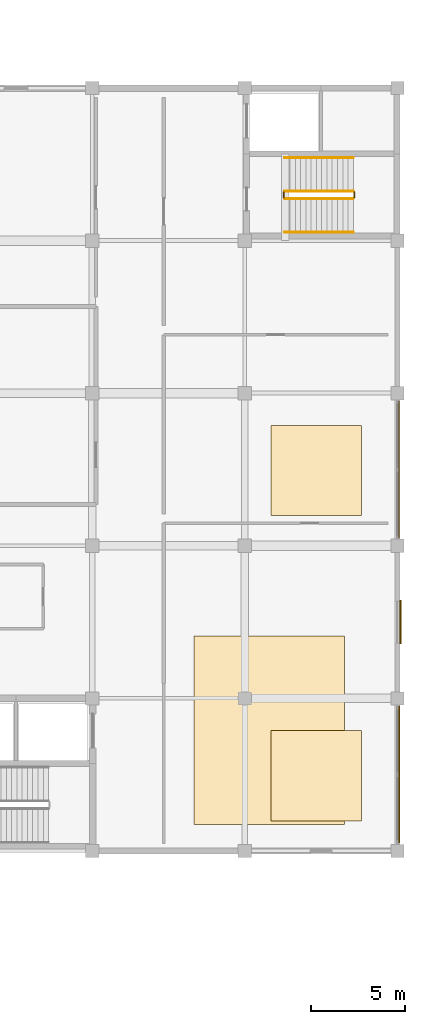
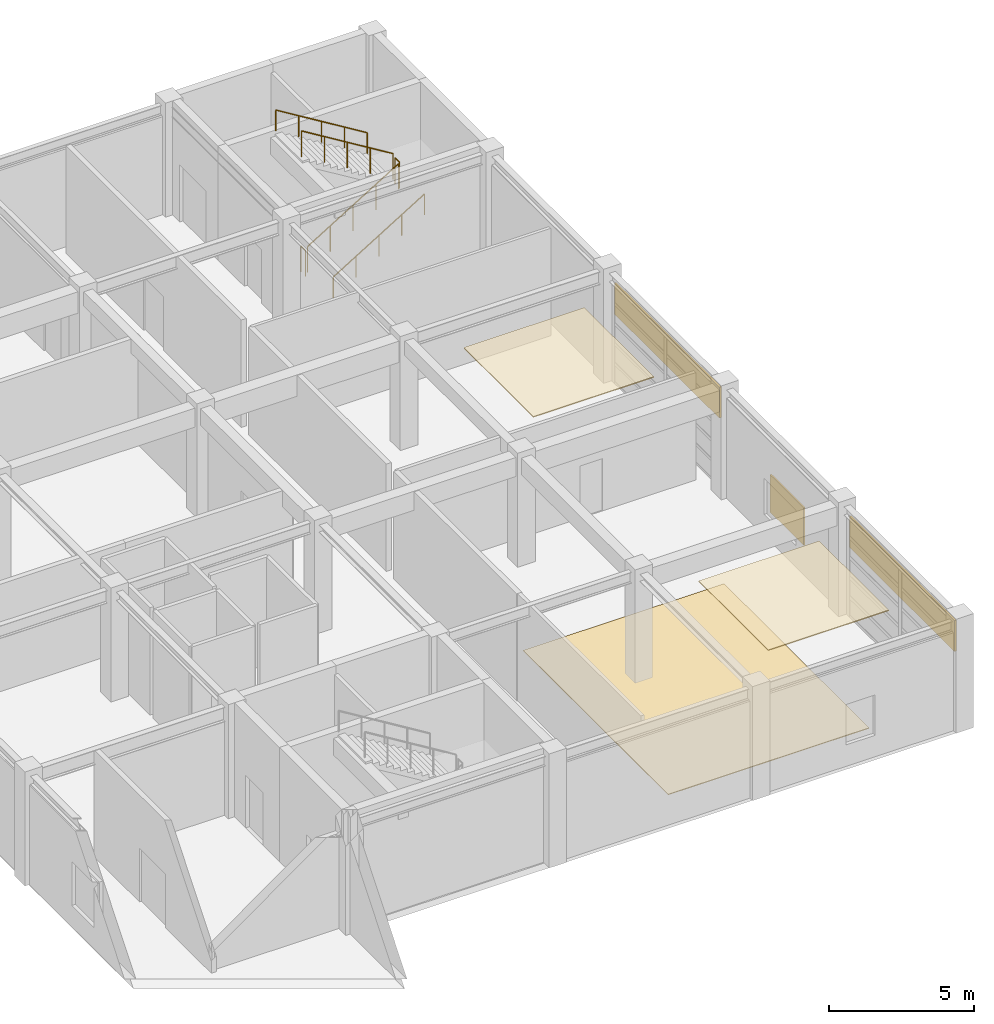
# One storey, part 58 of 58: 6 railings, 3 coverings, 3 shading devices.
"""IFC4 building model written with IfcOpenShell, lengths in metres."""

import ifcopenshell
import ifcopenshell.guid

model = None  # the IFC model being written
_history = None  # IfcOwnerHistory: only IFC2X3 demands one
_inside = {}  # id of a spatial element -> (the spatial element, [elements in it])
_under = {}  # id of a project, library or spatial element -> (it, [spatial elements below it])
_declared = {}  # id of a project -> (the project, [libraries it declares])
_typed = {}  # id of a type object -> (the type object, [elements of that type])
_made_of = {}  # id of a material, layer set ... -> (it, [elements and type objects made of it])


def new_model(schema):
    """Start an empty IFC model of exactly this schema.

    Asked for "IFC4X3", IfcOpenShell would pick the latest addendum, in which some entities
    have other attributes; the version numbers below select the first issue.
    IFC2X3 requires an IfcOwnerHistory on every rooted entity: one is made here for all.
    """
    global model, _history
    if schema == "IFC4X3":
        model = ifcopenshell.file(schema_version=(4, 3, 0, 0))
    else:
        model = ifcopenshell.file(schema=schema)
    _inside.clear()
    _under.clear()
    _declared.clear()
    _typed.clear()
    _made_of.clear()
    _history = None
    if model.schema == "IFC2X3":
        org = make("IfcOrganization", Name="unknown")
        user = make(
            "IfcPersonAndOrganization",
            ThePerson=make("IfcPerson", FamilyName="unknown"),
            TheOrganization=org,
        )
        app = make(
            "IfcApplication",
            ApplicationDeveloper=org,
            Version="unknown",
            ApplicationFullName="unknown",
            ApplicationIdentifier="unknown",
        )
        _history = make(
            "IfcOwnerHistory",
            OwningUser=user,
            OwningApplication=app,
            ChangeAction="ADDED",
            CreationDate=0,
        )
    return model


def make(cls, **values):
    """One entity of the class cls with the attributes given. An attribute that is None is left unset."""
    return model.create_entity(
        cls, **{name: value for name, value in values.items() if value is not None}
    )


def rooted(cls, **values):
    """An entity with a GlobalId (a new one), such as an element, a storey or a relation."""
    return make(cls, GlobalId=ifcopenshell.guid.new(), OwnerHistory=_history, **values)


def si_unit(unit_type, name, prefix=None):
    """IfcSIUnit, for example si_unit("LENGTHUNIT", "METRE", prefix="MILLI")."""
    return make("IfcSIUnit", UnitType=unit_type, Prefix=prefix, Name=name)


def assignment(units):
    """IfcUnitAssignment: the units of a project."""
    return None if units is None else make("IfcUnitAssignment", Units=units)


def point(xyz):
    """IfcCartesianPoint."""
    return None if xyz is None else make("IfcCartesianPoint", Coordinates=xyz)


def direction(xyz):
    """IfcDirection."""
    return None if xyz is None else make("IfcDirection", DirectionRatios=xyz)


def frame(location, z_axis=None, x_axis=None):
    """IfcAxis2Placement3D, a coordinate frame: its origin and axes. An axis left out is left unset."""
    return make(
        "IfcAxis2Placement3D",
        Location=point(location),
        Axis=direction(z_axis),
        RefDirection=direction(x_axis),
    )


def frame_2d(location, x_axis=None):
    """IfcAxis2Placement2D, a coordinate frame in the plane: its origin and x axis."""
    return make(
        "IfcAxis2Placement2D", Location=point(location), RefDirection=direction(x_axis)
    )


def origin():
    """The frame at (0, 0, 0) with its axes left unset."""
    return frame((0.0, 0.0, 0.0))


def origin_2d():
    """The frame at (0, 0) in the plane with its x axis left unset."""
    return frame_2d((0.0, 0.0))


def place(relative_to, where):
    """IfcLocalPlacement: puts the frame where relative to a parent placement (None: the world)."""
    return make(
        "IfcLocalPlacement", PlacementRelTo=relative_to, RelativePlacement=where
    )


def context(
    kind, dimensions, precision=None, world=None, true_north=None, identifier=None
):
    """IfcGeometricRepresentationContext, for example the 3D "Model" context."""
    return make(
        "IfcGeometricRepresentationContext",
        ContextIdentifier=identifier,
        ContextType=kind,
        CoordinateSpaceDimension=dimensions,
        Precision=precision,
        WorldCoordinateSystem=world,
        TrueNorth=true_north,
    )


def subcontext(parent, identifier, kind, view, scale=None):
    """IfcGeometricRepresentationSubContext, for example "Body" below "Model"."""
    return make(
        "IfcGeometricRepresentationSubContext",
        ContextIdentifier=identifier,
        ContextType=kind,
        ParentContext=parent,
        TargetScale=scale,
        TargetView=view,
    )


def project(units=None, contexts=None):
    """IfcProject with its units and contexts."""
    return rooted(
        "IfcProject",
        Name="project",
        RepresentationContexts=contexts,
        UnitsInContext=assignment(units),
    )


def spatial(cls, under=None, at=None, **own):
    """A site, building, storey or space (cls), placed at a placement, below another one or the project."""
    s = rooted(cls, ObjectPlacement=at, **own)
    if under is not None:
        _under.setdefault(under.id(), (under, []))[1].append(s)
    return s


def profile(cls, at=None, kind="AREA", **sizes):
    """A parametric profile (cls). Its sizes go by their IFC names, for example OverallWidth=200.0."""
    return make(cls, ProfileType=kind, Position=at, **sizes)


def rectangle(**sizes):
    """IfcRectangleProfileDef."""
    return profile("IfcRectangleProfileDef", **sizes)


def circle(**sizes):
    """IfcCircleProfileDef."""
    return profile("IfcCircleProfileDef", **sizes)


def extrude(swept, where, along, depth):
    """IfcExtrudedAreaSolid: the profile swept, set in the frame where, extruded along a direction by depth."""
    return make(
        "IfcExtrudedAreaSolid",
        SweptArea=swept,
        Position=where,
        ExtrudedDirection=direction(along),
        Depth=depth,
    )


def shape(context_of_items, identifier, shape_type, items):
    """IfcShapeRepresentation: the items that make up one representation, for example the "Body"."""
    return make(
        "IfcShapeRepresentation",
        ContextOfItems=context_of_items,
        RepresentationIdentifier=identifier,
        RepresentationType=shape_type,
        Items=items,
    )


def material(Name=None, Category=None):
    """IfcMaterial."""
    return make("IfcMaterial", Name=Name, Category=Category)


def layer(
    of_material, thickness, ventilated=None, Name=None, Category=None, Priority=None
):
    """IfcMaterialLayer: one layer of a wall or slab, of a material (None: an air gap)."""
    return make(
        "IfcMaterialLayer",
        Material=of_material,
        LayerThickness=thickness,
        IsVentilated=ventilated,
        Name=Name,
        Category=Category,
        Priority=Priority,
    )


def layer_set(layers, Name=None):
    """IfcMaterialLayerSet."""
    return make("IfcMaterialLayerSet", MaterialLayers=layers, LayerSetName=Name)


def made_of(thing, what):
    """Note that an element or type object is made of a material, layer set ...; save() writes the relation."""
    if what is not None:
        _made_of.setdefault(what.id(), (what, []))[1].append(thing)
    return thing


def type_object(cls, material=None, **own):
    """A type object (cls), such as IfcWallType, which elements share."""
    return made_of(rooted(cls, **own), material)


def element(
    cls,
    number,
    at=None,
    inside=None,
    cuts=None,
    type_object=None,
    material=None,
    context=None,
    identifier="Body",
    shape_type=None,
    held_by="IfcProductDefinitionShape",
    body=None,
    shapes=None,
    **own,
):
    """One element of the class cls, such as IfcWall. Its Tag is "e" and its number.

    at: its placement. inside: the storey or other place that contains it. cuts: it is an
    opening in that element (IfcRelVoidsElement). A single representation is given by context,
    identifier, shape_type and body (its items); several are given by shapes. held_by: the class
    of the entity that holds the representations. save() writes the other relations.
    """
    e = rooted(cls, Tag="e%d" % number, ObjectPlacement=at, **own)
    if body is not None:
        shapes = [shape(context, identifier, shape_type, body)]
    if shapes is not None:
        e.Representation = make(held_by, Representations=shapes)
    if inside is not None:
        _inside.setdefault(inside.id(), (inside, []))[1].append(e)
    if cuts is not None:
        rooted(
            "IfcRelVoidsElement", RelatingBuildingElement=cuts, RelatedOpeningElement=e
        )
    if type_object is not None:
        _typed.setdefault(type_object.id(), (type_object, []))[1].append(e)
    return made_of(e, material)


def aggregate(whole, parts):
    """IfcRelAggregates: a whole, such as a stair, and the parts it consists of."""
    return rooted("IfcRelAggregates", RelatingObject=whole, RelatedObjects=parts)


def save(model, path):
    """Write the relations noted so far, then the file.

    IfcRelAggregates (storeys below a building ...), IfcRelContainedInSpatialStructure (elements
    in a storey), IfcRelDefinesByType, IfcRelAssociatesMaterial and IfcRelDeclares: one each for
    every whole, place, type object, material and project.
    """
    for whole, parts in _under.values():
        aggregate(whole, parts)
    for where, things in _inside.values():
        rooted(
            "IfcRelContainedInSpatialStructure",
            RelatedElements=things,
            RelatingStructure=where,
        )
    for kind, things in _typed.values():
        rooted("IfcRelDefinesByType", RelatedObjects=things, RelatingType=kind)
    for what, things in _made_of.values():
        rooted("IfcRelAssociatesMaterial", RelatedObjects=things, RelatingMaterial=what)
    for by, libraries in _declared.values():
        rooted("IfcRelDeclares", RelatingContext=by, RelatedDefinitions=libraries)
    model.write(path)


model = new_model("IFC4")

# Units and contexts
model_context = context("Model", 3, precision=1e-05, world=origin(), true_north=direction((0.0, 1.0)))
body_context = subcontext(model_context, "Body", "Model", "MODEL_VIEW")
ifc_project = project(units=[si_unit("LENGTHUNIT", "METRE"), si_unit("AREAUNIT", "SQUARE_METRE"), si_unit("VOLUMEUNIT", "CUBIC_METRE"), si_unit("PLANEANGLEUNIT", "RADIAN"), si_unit("MASSUNIT", "GRAM", prefix="KILO")], contexts=[model_context])

# Site, building, storey
site_placement = place(None, origin())
site = spatial("IfcSite", under=ifc_project, at=site_placement, CompositionType="ELEMENT")
building_placement = place(site_placement, origin())
building = spatial("IfcBuilding", under=site, at=building_placement, Name="Parian Resonance Hall", CompositionType="ELEMENT")
storey_placement = place(building_placement, frame((0.0, 0.0, 10.199951171875)))
storey = spatial("IfcBuildingStorey", under=building, at=storey_placement, Name="L02", CompositionType="ELEMENT", Elevation=10.199951171875)

# Coverings
ifc_material_1 = material(Name="Perforated mahogany and mineral-wool acoustic ceiling")
ifc_layer_1 = layer(ifc_material_1, 0.0400390625)
ifc_layer_set_1 = layer_set([ifc_layer_1], Name="Perforated mahogany and mineral-wool acoustic ceiling")
covering_type_1 = type_object("IfcCoveringType", Name="COV-CEIL-ACOUSTIC", PredefinedType="CEILING", material=ifc_layer_set_1)
for number, where, z_axis, x_axis, name in (
    (1, (141.5, 52.60009765625, 4.511962890625), (0.0, 0.0, 1.0), (1.0, 0.0, 0.0), "Suspended mahogany acoustic ceiling canopy L02-05"),
    (2, (141.5, 68.800048828125, 4.511962890625), (0.0, 0.0, 1.0), (1.0, 0.0, 0.0), "Suspended mahogany acoustic ceiling canopy L02-06"),
):
    element("IfcCovering", number, at=place(storey_placement, frame(where, z_axis=z_axis, x_axis=x_axis)), inside=storey, type_object=covering_type_1, Name=name, PredefinedType="CEILING", context=body_context, shape_type="SweptSolid", body=[
        extrude(rectangle(XDim=4.800048828125, YDim=4.800048828125, at=origin_2d()), origin(), (0.0, 0.0, 1.0), 0.0400390625),
    ])
ifc_material_2 = material(Name="Sprung Philippine narra hardwood stage flooring", Category="wood")
ifc_layer_2 = layer(ifc_material_2, 0.030029296875)
ifc_layer_set_2 = layer_set([ifc_layer_2], Name="Sprung Philippine narra hardwood stage flooring")
covering_type_2 = type_object("IfcCoveringType", Name="COV-FLOOR-NARRA", PredefinedType="FLOORING", material=ifc_layer_set_2)
covering_placement = place(storey_placement, frame((139.0, 55.0, 0.0), z_axis=(0.0, 0.0, 1.0), x_axis=(1.0, 0.0, 0.0)))
element("IfcCovering", 3, at=covering_placement, inside=storey, type_object=covering_type_2, Name="Recording Studio Live Room sprung flooring", PredefinedType="FLOORING", context=body_context, shape_type="SweptSolid", body=[
    extrude(rectangle(XDim=8.0, YDim=10.0, at=origin_2d()), origin(), (0.0, 0.0, 1.0), 0.030029296875),
])

# Railings
ifc_material_3 = material(Name="Patinated bronze whiplash metalwork")
railing_type_1 = type_object("IfcRailingType", Name="RAIL-STAIR-GRD-1100", PredefinedType="GUARDRAIL", material=ifc_material_3)
railing_1_placement = place(storey_placement, frame((139.820068359375, 83.22998046875, 0.17138671875)))
element("IfcRailing", 4, at=railing_1_placement, inside=storey, type_object=railing_type_1, Name="L02 ST-06 stair guard 1", PredefinedType="GUARDRAIL", context=body_context, shape_type="SweptSolid", body=[
    extrude(circle(Radius=0.02392578125, at=origin_2d()), frame((0.0, 0.0, 1.076171875), z_axis=(0.852824790078, 0.0, 0.522197163366), x_axis=(0.0, 1.0, 0.0)), (0.0, 0.0, 1.0), 4.26806640625),
    extrude(circle(Radius=0.02099609375, at=origin_2d()), origin(), (0.0, 0.0, 1.0), 1.052001953125),
    extrude(circle(Radius=0.02099609375, at=origin_2d()), frame((0.909912109375, 0.0, 0.55712890625)), (0.0, 0.0, 1.0), 1.052001953125),
    extrude(circle(Radius=0.02099609375, at=origin_2d()), frame((1.81982421875, 0.0, 1.1142578125)), (0.0, 0.0, 1.0), 1.052001953125),
    extrude(circle(Radius=0.02099609375, at=origin_2d()), frame((2.72998046875, 0.0, 1.671630859375)), (0.0, 0.0, 1.0), 1.052001953125),
    extrude(circle(Radius=0.02099609375, at=origin_2d()), frame((3.639892578125, 0.0, 2.228759765625)), (0.0, 0.0, 1.0), 1.052001953125),
])
railing_2_placement = place(storey_placement, frame((143.510009765625, 83.280029296875, 2.400146484375)))
element("IfcRailing", 5, at=railing_2_placement, inside=storey, type_object=railing_type_1, Name="L02 ST-06 stair guard 2", PredefinedType="GUARDRAIL", context=body_context, shape_type="SweptSolid", body=[
    extrude(circle(Radius=0.02392578125, at=origin_2d()), frame((0.0, 0.0, 1.076171875), z_axis=(0.0, 1.0, 0.0), x_axis=(-1.0, 0.0, 0.0)), (0.0, 0.0, 1.0), 0.300048828125),
    extrude(circle(Radius=0.02099609375, at=origin_2d()), origin(), (0.0, 0.0, 1.0), 1.052001953125),
    extrude(circle(Radius=0.02099609375, at=origin_2d()), frame((0.0, 0.300048828125, 0.0)), (0.0, 0.0, 1.0), 1.052001953125),
])
railing_3_placement = place(storey_placement, frame((143.4599609375, 83.6298828125, 2.571533203125)))
element("IfcRailing", 6, at=railing_3_placement, inside=storey, type_object=railing_type_1, Name="L02 ST-06 stair guard 3", PredefinedType="GUARDRAIL", context=body_context, shape_type="SweptSolid", body=[
    extrude(circle(Radius=0.02392578125, at=origin_2d()), frame((0.0, 0.0, 1.076171875), z_axis=(-0.852850264322, 0.0, 0.5221555579), x_axis=(0.0, -1.0, 0.0)), (0.0, 0.0, 1.0), 4.267822265625),
    extrude(circle(Radius=0.02099609375, at=origin_2d()), origin(), (0.0, 0.0, 1.0), 1.052001953125),
    extrude(circle(Radius=0.02099609375, at=origin_2d()), frame((-0.909912109375, 0.0, 0.55712890625)), (0.0, 0.0, 1.0), 1.052001953125),
    extrude(circle(Radius=0.02099609375, at=origin_2d()), frame((-1.81982421875, 0.0, 1.1142578125)), (0.0, 0.0, 1.0), 1.052001953125),
    extrude(circle(Radius=0.02099609375, at=origin_2d()), frame((-2.72998046875, 0.0, 1.67138671875)), (0.0, 0.0, 1.0), 1.052001953125),
    extrude(circle(Radius=0.02099609375, at=origin_2d()), frame((-3.639892578125, 0.0, 2.228515625)), (0.0, 0.0, 1.0), 1.052001953125),
])
railing_4_placement = place(storey_placement, frame((139.77001953125, 83.280029296875, 0.0)))
element("IfcRailing", 7, at=railing_4_placement, inside=storey, type_object=railing_type_1, Name="L02 ST-06 stair guard 4", PredefinedType="GUARDRAIL", context=body_context, shape_type="SweptSolid", body=[
    extrude(circle(Radius=0.02392578125, at=origin_2d()), frame((0.0, 0.0, 1.076171875), z_axis=(0.0, 1.0, 0.0), x_axis=(-1.0, 0.0, 0.0)), (0.0, 0.0, 1.0), 0.300048828125),
    extrude(circle(Radius=0.02099609375, at=origin_2d()), origin(), (0.0, 0.0, 1.0), 1.052001953125),
    extrude(circle(Radius=0.02099609375, at=origin_2d()), frame((0.0, 0.300048828125, 0.0)), (0.0, 0.0, 1.0), 1.052001953125),
])
ifc_material_4 = material(Name="Patinated bronze whiplash metalwork")
railing_type_2 = type_object("IfcRailingType", Name="RAIL-STAIR-HR-900", PredefinedType="HANDRAIL", material=ifc_material_4)
railing_5_placement = place(storey_placement, frame((139.820068359375, 81.449951171875, 0.17138671875)))
element("IfcRailing", 8, at=railing_5_placement, inside=storey, type_object=railing_type_2, Name="L02 ST-06 stair handrail 1", PredefinedType="HANDRAIL", context=body_context, shape_type="SweptSolid", body=[
    extrude(circle(Radius=0.02392578125, at=origin_2d()), frame((0.0, 0.0, 0.8759765625), z_axis=(0.852824790078, 0.0, 0.522197163366), x_axis=(0.0, 1.0, 0.0)), (0.0, 0.0, 1.0), 4.26806640625),
    extrude(circle(Radius=0.02099609375, at=origin_2d()), origin(), (0.0, 0.0, 1.0), 0.851806640625),
    extrude(circle(Radius=0.02099609375, at=origin_2d()), frame((0.909912109375, 0.0, 0.55712890625)), (0.0, 0.0, 1.0), 0.851806640625),
    extrude(circle(Radius=0.02099609375, at=origin_2d()), frame((1.81982421875, 0.0, 1.1142578125)), (0.0, 0.0, 1.0), 0.851806640625),
    extrude(circle(Radius=0.02099609375, at=origin_2d()), frame((2.72998046875, 0.0, 1.671630859375)), (0.0, 0.0, 1.0), 0.851806640625),
    extrude(circle(Radius=0.02099609375, at=origin_2d()), frame((3.639892578125, 0.0, 2.228759765625)), (0.0, 0.0, 1.0), 0.851806640625),
])
railing_6_placement = place(storey_placement, frame((143.4599609375, 85.409912109375, 2.571533203125)))
element("IfcRailing", 9, at=railing_6_placement, inside=storey, type_object=railing_type_2, Name="L02 ST-06 stair handrail 2", PredefinedType="HANDRAIL", context=body_context, shape_type="SweptSolid", body=[
    extrude(circle(Radius=0.02392578125, at=origin_2d()), frame((0.0, 0.0, 0.8759765625), z_axis=(-0.852850264322, 0.0, 0.5221555579), x_axis=(0.0, -1.0, 0.0)), (0.0, 0.0, 1.0), 4.267822265625),
    extrude(circle(Radius=0.02099609375, at=origin_2d()), origin(), (0.0, 0.0, 1.0), 0.851806640625),
    extrude(circle(Radius=0.02099609375, at=origin_2d()), frame((-0.909912109375, 0.0, 0.55712890625)), (0.0, 0.0, 1.0), 0.851806640625),
    extrude(circle(Radius=0.02099609375, at=origin_2d()), frame((-1.81982421875, 0.0, 1.1142578125)), (0.0, 0.0, 1.0), 0.851806640625),
    extrude(circle(Radius=0.02099609375, at=origin_2d()), frame((-2.72998046875, 0.0, 1.67138671875)), (0.0, 0.0, 1.0), 0.851806640625),
    extrude(circle(Radius=0.02099609375, at=origin_2d()), frame((-3.639892578125, 0.0, 2.228515625)), (0.0, 0.0, 1.0), 0.851806640625),
])

# Shading devices
ifc_material_5 = material(Name="Patinated bronze persiana louver")
ifc_layer_3 = layer(ifc_material_5, 0.080078125)
ifc_layer_set_3 = layer_set([ifc_layer_3], Name="Patinated bronze persiana louver")
shading_device_type_1 = type_object("IfcShadingDeviceType", Name="SHD-PERSIANA-JAL", PredefinedType="JALOUSIE", material=ifc_layer_set_3)
for number, where, z_axis, x_axis, name in (
    (10, (145.87255859375, 52.64990234375, 2.8369140625), (0.0, 0.0, 1.0), (0.0, -1.0, 0.0), "Bronze persiana storm jalousie L02-062"),
    (11, (145.867431640625, 68.85009765625, 2.8369140625), (0.0, 0.0, 1.0), (0.0, -1.0, 0.0), "Bronze persiana storm jalousie L02-064"),
):
    element("IfcShadingDevice", number, at=place(storey_placement, frame(where, z_axis=z_axis, x_axis=x_axis)), inside=storey, type_object=shading_device_type_1, Name=name, PredefinedType="JALOUSIE", context=body_context, shape_type="SweptSolid", body=[
        extrude(rectangle(XDim=7.239990234375, YDim=0.080078125, at=origin_2d()), origin(), (0.0, 0.0, 1.0), 1.300048828125),
    ])
ifc_material_6 = material(Name="Patinated bronze persiana louver")
ifc_layer_4 = layer(ifc_material_6, 0.06005859375)
ifc_layer_set_4 = layer_set([ifc_layer_4], Name="Patinated bronze persiana louver")
shading_device_type_2 = type_object("IfcShadingDeviceType", Name="SHD-PERSIANA-SHT", PredefinedType="SHUTTER", material=ifc_layer_set_4)
shading_device_placement = place(storey_placement, frame((145.962890625, 60.75, 0.860107421875), z_axis=(0.0, 0.0, 1.0), x_axis=(0.0, -1.0, 0.0)))
element("IfcShadingDevice", 12, at=shading_device_placement, inside=storey, type_object=shading_device_type_2, Name="Bronze operable persiana shutter L02-063", PredefinedType="SHUTTER", context=body_context, shape_type="SweptSolid", body=[
    extrude(rectangle(XDim=2.320068359375, YDim=0.06005859375, at=origin_2d()), origin(), (0.0, 0.0, 1.0), 1.580078125),
])

save(model, "model.ifc")
